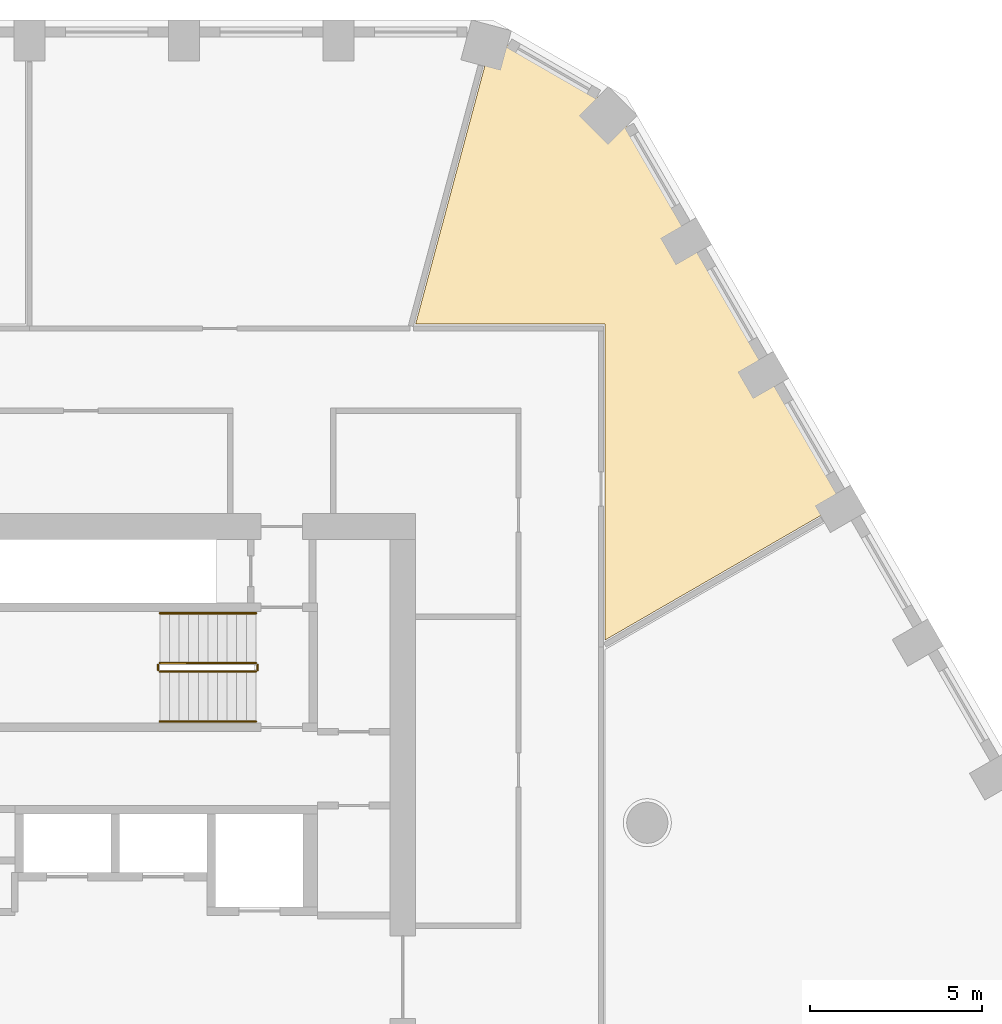
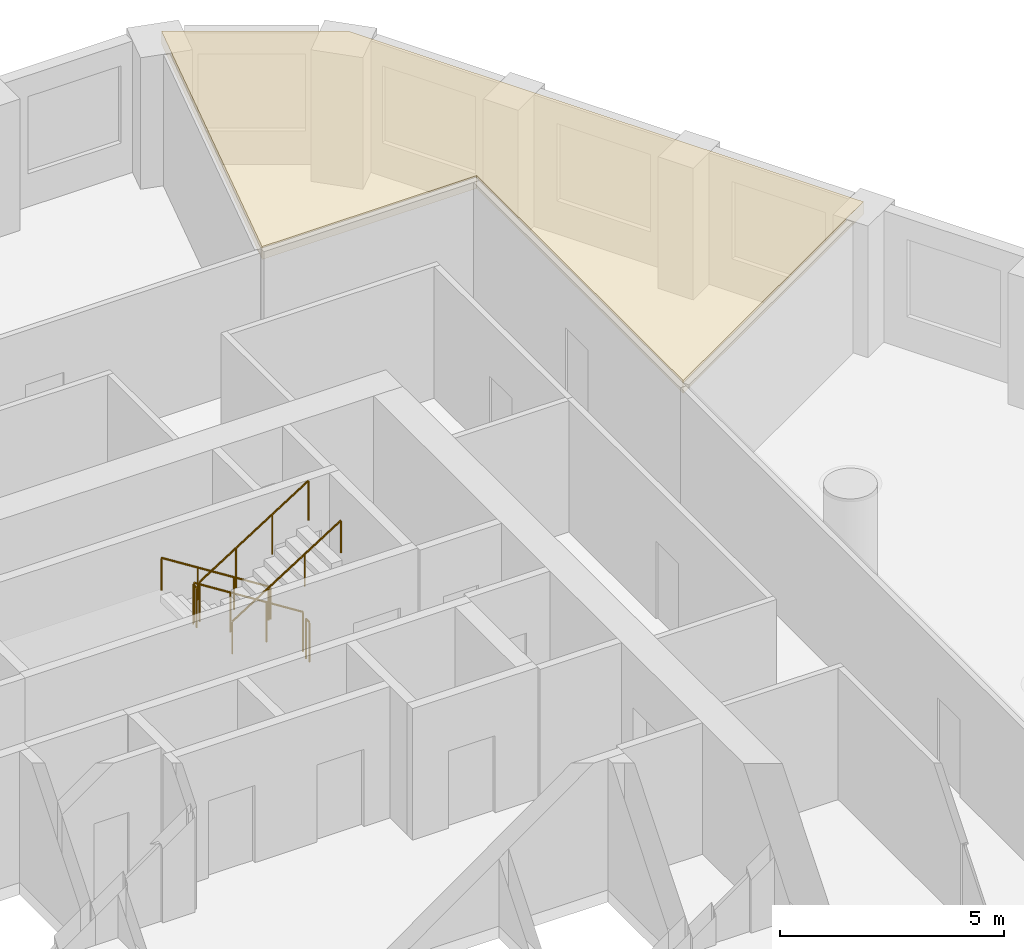
# One storey, part 14 of 14: 6 railings, 1 covering.
"""IFC4 building model written with IfcOpenShell, lengths in metres."""

from ifc_helpers import new_model, si_unit, direction, frame, origin, origin_2d, place, context, subcontext, project, spatial, polyline, circle, outline, extrude, material, layer, layer_set, type_object, element, save


model = new_model("IFC4")

# Units and contexts
model_context = context("Model", 3, precision=1e-05, world=origin(), true_north=direction((0.0, 1.0)))
body_context = subcontext(model_context, "Body", "Model", "MODEL_VIEW")
ifc_project = project(units=[si_unit("LENGTHUNIT", "METRE"), si_unit("AREAUNIT", "SQUARE_METRE"), si_unit("VOLUMEUNIT", "CUBIC_METRE"), si_unit("PLANEANGLEUNIT", "RADIAN"), si_unit("MASSUNIT", "GRAM", prefix="KILO")], contexts=[model_context])

# Site, building, storey
site_placement = place(None, origin())
site = spatial("IfcSite", under=ifc_project, at=site_placement, CompositionType="ELEMENT")
building_placement = place(site_placement, origin())
building = spatial("IfcBuilding", under=site, at=building_placement, Name="Dhurran Vertical Campus", CompositionType="ELEMENT")
storey_placement = place(building_placement, frame((0.0, 0.0, 140.39990234375)))
storey = spatial("IfcBuildingStorey", under=building, at=storey_placement, Name="L34", CompositionType="ELEMENT", Elevation=140.39990234375)

# Railings
ifc_material_1 = material(Name="Stainless steel balustrade", Category="steel")
railing_type_1 = type_object("IfcRailingType", Name="co-RL-GUARD-1100", PredefinedType="GUARDRAIL", material=ifc_material_1)
railing_1_placement = place(storey_placement, frame((11.10009765625, 9.14990234375, 0.177490234375)))
element("IfcRailing", 1, at=railing_1_placement, inside=storey, type_object=railing_type_1, Name="L34 ST2 stair guard 1", PredefinedType="GUARDRAIL", context=body_context, shape_type="SweptSolid", body=[
    extrude(circle(Radius=0.02392578125, at=origin_2d()), frame((0.0, 0.0, 1.076171875), z_axis=(-0.844908973607, 0.0, 0.534910110503), x_axis=(0.0, -1.0, 0.0)), (0.0, 0.0, 1.0), 3.31396484375),
    extrude(circle(Radius=0.02099609375, at=origin_2d()), origin(), (0.0, 0.0, 1.0), 1.052001953125),
    extrude(circle(Radius=0.02099609375, at=origin_2d()), frame((-0.933349609375, 0.0, 0.5908203125)), (0.0, 0.0, 1.0), 1.052001953125),
    extrude(circle(Radius=0.02099609375, at=origin_2d()), frame((-1.86669921875, 0.0, 1.181884765625)), (0.0, 0.0, 1.0), 1.052001953125),
    extrude(circle(Radius=0.02099609375, at=origin_2d()), frame((-2.800048828125, 0.0, 1.772705078125)), (0.0, 0.0, 1.0), 1.052001953125),
])
railing_2_placement = place(storey_placement, frame((8.25, 9.10009765625, 1.9501953125)))
element("IfcRailing", 2, at=railing_2_placement, inside=storey, type_object=railing_type_1, Name="L34 ST2 stair guard 2", PredefinedType="GUARDRAIL", context=body_context, shape_type="SweptSolid", body=[
    extrude(circle(Radius=0.02392578125, at=origin_2d()), frame((0.0, 0.0, 1.076171875), z_axis=(0.0, -1.0, 0.0), x_axis=(1.0, 0.0, 0.0)), (0.0, 0.0, 1.0), 0.150146484375),
    extrude(circle(Radius=0.02099609375, at=origin_2d()), origin(), (0.0, 0.0, 1.0), 1.052001953125),
    extrude(circle(Radius=0.02099609375, at=origin_2d()), frame((0.0, -0.150146484375, 0.0)), (0.0, 0.0, 1.0), 1.052001953125),
])
railing_3_placement = place(storey_placement, frame((8.300048828125, 8.89990234375, 2.12744140625)))
element("IfcRailing", 3, at=railing_3_placement, inside=storey, type_object=railing_type_1, Name="L34 ST2 stair guard 3", PredefinedType="GUARDRAIL", context=body_context, shape_type="SweptSolid", body=[
    extrude(circle(Radius=0.02392578125, at=origin_2d()), frame((0.0, 0.0, 1.076171875), z_axis=(0.844908973607, 0.0, 0.534910110503), x_axis=(0.0, 1.0, 0.0)), (0.0, 0.0, 1.0), 3.31396484375),
    extrude(circle(Radius=0.02099609375, at=origin_2d()), origin(), (0.0, 0.0, 1.0), 1.052001953125),
    extrude(circle(Radius=0.02099609375, at=origin_2d()), frame((0.933349609375, 0.0, 0.5908203125)), (0.0, 0.0, 1.0), 1.052001953125),
    extrude(circle(Radius=0.02099609375, at=origin_2d()), frame((1.86669921875, 0.0, 1.181884765625)), (0.0, 0.0, 1.0), 1.052001953125),
    extrude(circle(Radius=0.02099609375, at=origin_2d()), frame((2.800048828125, 0.0, 1.772705078125)), (0.0, 0.0, 1.0), 1.052001953125),
])
railing_4_placement = place(storey_placement, frame((11.14990234375, 9.10009765625, 0.0)))
element("IfcRailing", 4, at=railing_4_placement, inside=storey, type_object=railing_type_1, Name="L34 ST2 stair guard 4", PredefinedType="GUARDRAIL", context=body_context, shape_type="SweptSolid", body=[
    extrude(circle(Radius=0.02392578125, at=origin_2d()), frame((0.0, 0.0, 1.076171875), z_axis=(0.0, -1.0, 0.0), x_axis=(1.0, 0.0, 0.0)), (0.0, 0.0, 1.0), 0.150146484375),
    extrude(circle(Radius=0.02099609375, at=origin_2d()), origin(), (0.0, 0.0, 1.0), 1.052001953125),
    extrude(circle(Radius=0.02099609375, at=origin_2d()), frame((0.0, -0.150146484375, 0.0)), (0.0, 0.0, 1.0), 1.052001953125),
])
ifc_material_2 = material(Name="Stainless steel handrail", Category="steel")
railing_type_2 = type_object("IfcRailingType", Name="co-RL-HANDRAIL-900", PredefinedType="HANDRAIL", material=ifc_material_2)
railing_5_placement = place(storey_placement, frame((11.10009765625, 10.60009765625, 0.177490234375)))
element("IfcRailing", 5, at=railing_5_placement, inside=storey, type_object=railing_type_2, Name="L34 ST2 stair handrail 1", PredefinedType="HANDRAIL", context=body_context, shape_type="SweptSolid", body=[
    extrude(circle(Radius=0.02392578125, at=origin_2d()), frame((0.0, 0.0, 0.8759765625), z_axis=(-0.844908973607, 0.0, 0.534910110503), x_axis=(0.0, -1.0, 0.0)), (0.0, 0.0, 1.0), 3.31396484375),
    extrude(circle(Radius=0.02099609375, at=origin_2d()), origin(), (0.0, 0.0, 1.0), 0.851806640625),
    extrude(circle(Radius=0.02099609375, at=origin_2d()), frame((-0.933349609375, 0.0, 0.5908203125)), (0.0, 0.0, 1.0), 0.851806640625),
    extrude(circle(Radius=0.02099609375, at=origin_2d()), frame((-1.86669921875, 0.0, 1.181884765625)), (0.0, 0.0, 1.0), 0.851806640625),
    extrude(circle(Radius=0.02099609375, at=origin_2d()), frame((-2.800048828125, 0.0, 1.772705078125)), (0.0, 0.0, 1.0), 0.851806640625),
])
railing_6_placement = place(storey_placement, frame((8.300048828125, 7.449951171875, 2.12744140625)))
element("IfcRailing", 6, at=railing_6_placement, inside=storey, type_object=railing_type_2, Name="L34 ST2 stair handrail 2", PredefinedType="HANDRAIL", context=body_context, shape_type="SweptSolid", body=[
    extrude(circle(Radius=0.02392578125, at=origin_2d()), frame((0.0, 0.0, 0.8759765625), z_axis=(0.844908973607, 0.0, 0.534910110503), x_axis=(0.0, 1.0, 0.0)), (0.0, 0.0, 1.0), 3.31396484375),
    extrude(circle(Radius=0.02099609375, at=origin_2d()), origin(), (0.0, 0.0, 1.0), 0.851806640625),
    extrude(circle(Radius=0.02099609375, at=origin_2d()), frame((0.933349609375, 0.0, 0.5908203125)), (0.0, 0.0, 1.0), 0.851806640625),
    extrude(circle(Radius=0.02099609375, at=origin_2d()), frame((1.86669921875, 0.0, 1.181884765625)), (0.0, 0.0, 1.0), 0.851806640625),
    extrude(circle(Radius=0.02099609375, at=origin_2d()), frame((2.800048828125, 0.0, 1.772705078125)), (0.0, 0.0, 1.0), 0.851806640625),
])

# Covering
ifc_material_3 = material(Name="Mineral fibre ceiling tiles on suspended grid")
ifc_layer = layer(ifc_material_3, 0.35009765625)
ifc_layer_set = layer_set([ifc_layer], Name="Mineral fibre ceiling tiles on suspended grid")
covering_type = type_object("IfcCoveringType", Name="fl-CE-350 suspended ceiling", PredefinedType="CEILING", material=ifc_layer_set)
covering_placement = place(storey_placement, frame((0.0, 0.0, 3.22509765625)))
element("IfcCovering", 7, at=covering_placement, inside=storey, type_object=covering_type, Name="Ceiling 34-30", PredefinedType="CEILING", context=body_context, shape_type="SweptSolid", body=[
    extrude(outline(polyline([(21.27001953125, 19.02001953125), (15.7490234375, 19.02001953125), (17.9951171875, 27.40087890625), (21.589111328125, 25.324951171875), (28.222900390625, 13.8349609375), (21.27001953125, 9.821044921875), (21.27001953125, 19.02001953125)])), origin(), (0.0, 0.0, 1.0), 0.35009765625),
])

save(model, "model.ifc")
